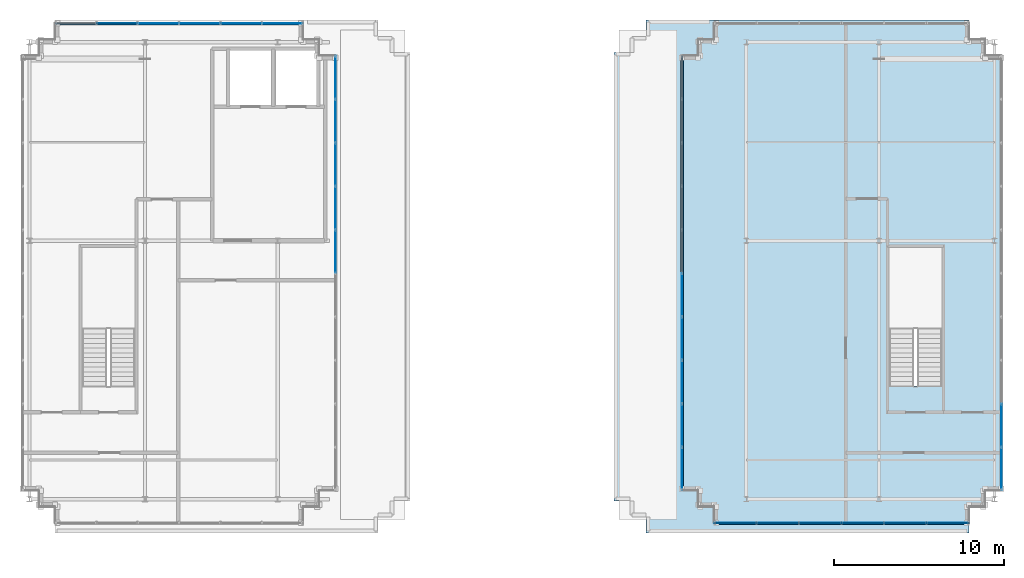
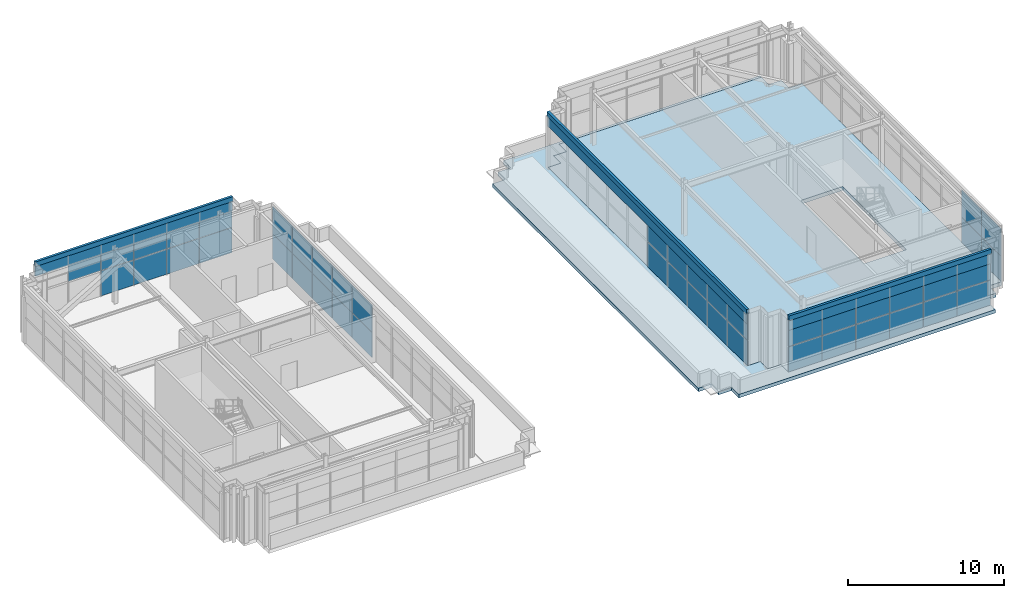
# One storey, part 21 of 28: 51 plates, 2 slabs, 5 elements without a shape of their own.
"""IFC4 building model written with IfcOpenShell, lengths in metres."""

from ifc_helpers import new_model, si_unit, direction, frame, origin, origin_2d, place, context, subcontext, project, spatial, polyline, rectangle, outline, extrude, source, transform, mapped, material, layer, layer_set, type_object, element, aggregate, save


model = new_model("IFC4")

# Units and contexts
model_context = context("Model", 3, precision=1e-05, world=origin(), true_north=direction((0.0, 1.0)))
body_context = subcontext(model_context, "Body", "Model", "MODEL_VIEW")
ifc_project = project(units=[si_unit("LENGTHUNIT", "METRE"), si_unit("AREAUNIT", "SQUARE_METRE"), si_unit("VOLUMEUNIT", "CUBIC_METRE"), si_unit("PLANEANGLEUNIT", "RADIAN"), si_unit("MASSUNIT", "GRAM", prefix="KILO")], contexts=[model_context])

# Site, building, storey
site_placement = place(None, origin())
site = spatial("IfcSite", under=ifc_project, at=site_placement, CompositionType="ELEMENT")
building_placement = place(site_placement, origin())
building = spatial("IfcBuilding", under=site, at=building_placement, Name="Trelvane Seafront Commons", CompositionType="ELEMENT")
storey_placement = place(building_placement, frame((0.0, 0.0, 312.300048828125)))
storey = spatial("IfcBuildingStorey", under=building, at=storey_placement, Name="L81", CompositionType="ELEMENT", Elevation=312.300048828125)

# Slabs
ifc_material_1 = material(Name="Concrete C40/50", Category="concrete")
ifc_layer_1 = layer(ifc_material_1, 0.27001953125, Name="STR-ROOF-270")
ifc_layer_set_1 = layer_set([ifc_layer_1], Name="Concrete C40/50")
slab_type_1 = type_object("IfcSlabType", Name="STR-ROOF-270", PredefinedType="ROOF", material=ifc_layer_set_1)
slab_1_placement = place(storey_placement, frame((0.0, 0.0, -0.27001953125)))
element("IfcSlab", 1, at=slab_1_placement, inside=storey, type_object=slab_type_1, Name="L81 Crown Setback Step Roof Slab", PredefinedType="ROOF", context=body_context, shape_type="SweptSolid", body=[
    extrude(outline(polyline([(45.10009765625, 17.14990234375), (45.10009765625, 16.199951171875), (64.10009765625, 16.199951171875), (64.10009765625, 16.800048828125), (49.10009765625, 16.800048828125), (49.10009765625, 17.75), (48.14990234375, 17.75), (48.14990234375, 18.699951171875), (47.199951171875, 18.699951171875), (47.199951171875, 44.300048828125), (48.14990234375, 44.300048828125), (48.14990234375, 45.25), (49.10009765625, 45.25), (49.10009765625, 46.199951171875), (64.10009765625, 46.199951171875), (64.10009765625, 46.39990234375), (45.10009765625, 46.39990234375), (45.10009765625, 45.449951171875), (44.14990234375, 45.449951171875), (44.14990234375, 44.5), (43.199951171875, 44.5), (43.199951171875, 18.10009765625), (44.14990234375, 18.10009765625), (44.14990234375, 17.14990234375), (45.10009765625, 17.14990234375)])), origin(), (0.0, 0.0, 1.0), 0.27001953125),
])
ifc_material_2 = material(Name="Concrete C50/60", Category="concrete")
ifc_layer_2 = layer(ifc_material_2, 0.2900390625, Name="STR-SLB-CRN290")
ifc_layer_set_2 = layer_set([ifc_layer_2], Name="Concrete C50/60")
slab_type_2 = type_object("IfcSlabType", Name="STR-SLB-CRN290", PredefinedType="FLOOR", material=ifc_layer_set_2)
slab_2_placement = place(storey_placement, frame((0.0, 0.0, -0.300048828125)))
element("IfcSlab", 2, at=slab_2_placement, inside=storey, type_object=slab_type_2, Name="L81 East Crown Peak Floor Slab", PredefinedType="FLOOR", context=body_context, shape_type="SweptSolid", body=[
    extrude(outline(polyline([(49.10009765625, 16.800048828125), (64.10009765625, 16.800048828125), (64.10009765625, 17.75), (65.050048828125, 17.75), (65.050048828125, 18.699951171875), (66.0, 18.699951171875), (66.0, 44.300048828125), (65.050048828125, 44.300048828125), (65.050048828125, 45.25), (64.10009765625, 45.25), (64.10009765625, 46.199951171875), (49.10009765625, 46.199951171875), (49.10009765625, 45.25), (48.14990234375, 45.25), (48.14990234375, 44.300048828125), (47.199951171875, 44.300048828125), (47.199951171875, 18.699951171875), (48.14990234375, 18.699951171875), (48.14990234375, 17.75), (49.10009765625, 17.75), (49.10009765625, 16.800048828125)]), holes=[polyline([(62.5, 33.0), (62.5, 24.85009765625), (59.39990234375, 24.85009765625), (59.39990234375, 33.0), (62.5, 33.0)])]), origin(), (0.0, 0.0, 1.0), 0.300048828125),
])

# Curtain wall, plates
ifc_material_3 = material(Name="Anodised pale-silver aluminium", Category="aluminium")
curtain_wall_type = type_object("IfcCurtainWallType", Name="ARCH-CW6-CROWN", PredefinedType="NOTDEFINED", material=ifc_material_3)
curtain_wall_1_placement = place(storey_placement, origin())
curtain_wall_1 = element("IfcCurtainWall", 3, at=curtain_wall_1_placement, inside=storey, type_object=curtain_wall_type, Name="CW-L81-0146", PredefinedType="NOTDEFINED")
ifc_material_4 = material(Name="Low-E coastal double glazing", Category="glass")
ifc_layer_3 = layer(ifc_material_4, 0.033935546875, Name="ARCH-CW-GLAZ-34")
ifc_layer_set_3 = layer_set([ifc_layer_3], Name="Low-E coastal double glazing")
plate_type_1 = type_object("IfcPlateType", Name="ARCH-CW-GLAZ-34", PredefinedType="CURTAIN_PANEL", material=ifc_layer_set_3)
shared_shape_1 = source(origin(), body_context, "Body", "SweptSolid", [
    extrude(rectangle(XDim=2.535888671875, YDim=0.031982421875, at=origin_2d()), origin(), (0.0, 0.0, 1.0), 1.955078125),
])
plate_1_placement = place(storey_placement, frame((26.800048828125, 43.02001953125, 0.0), z_axis=(0.0, 0.0, 1.0), x_axis=(0.0, -1.0, 0.0)))
plate_1 = element("IfcPlate", 4, at=plate_1_placement, type_object=plate_type_1, Name="CW-L81-0146-P00-1", PredefinedType="CURTAIN_PANEL", context=body_context, shape_type="MappedRepresentation", body=[
    mapped(shared_shape_1, transform((0.0, 0.0, 0.0), x_axis=(1.0, 0.0, 0.0), y_axis=(0.0, 1.0, 0.0), z_axis=(0.0, 0.0, 1.0), scale=1.0)),
])
plate_2_placement = place(storey_placement, frame((26.800048828125, 40.4599609375, 0.0), z_axis=(0.0, 0.0, 1.0), x_axis=(0.0, -1.0, 0.0)))
plate_2 = element("IfcPlate", 5, at=plate_2_placement, type_object=plate_type_1, Name="CW-L81-0146-P01-1", PredefinedType="CURTAIN_PANEL", context=body_context, shape_type="MappedRepresentation", body=[
    mapped(shared_shape_1, transform((0.0, 0.0, 0.0), x_axis=(1.0, 0.0, 0.0), y_axis=(0.0, 1.0, 0.0), z_axis=(0.0, 0.0, 1.0), scale=1.0)),
])
plate_3_placement = place(storey_placement, frame((26.800048828125, 37.89990234375, 0.0), z_axis=(0.0, 0.0, 1.0), x_axis=(0.0, -1.0, 0.0)))
plate_3 = element("IfcPlate", 6, at=plate_3_placement, type_object=plate_type_1, Name="CW-L81-0146-P02-1", PredefinedType="CURTAIN_PANEL", context=body_context, shape_type="MappedRepresentation", body=[
    mapped(shared_shape_1, transform((0.0, 0.0, 0.0), x_axis=(1.0, 0.0, 0.0), y_axis=(0.0, 1.0, 0.0), z_axis=(0.0, 0.0, 1.0), scale=1.0)),
])
plate_4_placement = place(storey_placement, frame((26.800048828125, 35.340087890625, 0.0), z_axis=(0.0, 0.0, 1.0), x_axis=(0.0, -1.0, 0.0)))
plate_4 = element("IfcPlate", 7, at=plate_4_placement, type_object=plate_type_1, Name="CW-L81-0146-P03-1", PredefinedType="CURTAIN_PANEL", context=body_context, shape_type="MappedRepresentation", body=[
    mapped(shared_shape_1, transform((0.0, 0.0, 0.0), x_axis=(1.0, 0.0, 0.0), y_axis=(0.0, 1.0, 0.0), z_axis=(0.0, 0.0, 1.0), scale=1.0)),
])
plate_5_placement = place(storey_placement, frame((26.800048828125, 32.780029296875, 0.0), z_axis=(0.0, 0.0, 1.0), x_axis=(0.0, -1.0, 0.0)))
plate_5 = element("IfcPlate", 8, at=plate_5_placement, type_object=plate_type_1, Name="CW-L81-0146-P04-1", PredefinedType="CURTAIN_PANEL", context=body_context, shape_type="MappedRepresentation", body=[
    mapped(shared_shape_1, transform((0.0, 0.0, 0.0), x_axis=(1.0, 0.0, 0.0), y_axis=(0.0, 1.0, 0.0), z_axis=(0.0, 0.0, 1.0), scale=1.0)),
])

curtain_wall_2_placement = place(storey_placement, origin())
curtain_wall_2 = element("IfcCurtainWall", 9, at=curtain_wall_2_placement, inside=storey, type_object=curtain_wall_type, Name="CW-L81-0148", PredefinedType="NOTDEFINED")
plate_6_placement = place(storey_placement, frame((47.199951171875, 19.97998046875, 0.0), z_axis=(0.0, 0.0, 1.0), x_axis=(0.0, 1.0, 0.0)))
plate_6 = element("IfcPlate", 10, at=plate_6_placement, type_object=plate_type_1, Name="CW-L81-0148-P00-1", PredefinedType="CURTAIN_PANEL", context=body_context, shape_type="MappedRepresentation", body=[
    mapped(shared_shape_1, transform((0.0, 0.0, 0.0), x_axis=(1.0, 0.0, 0.0), y_axis=(0.0, 1.0, 0.0), z_axis=(0.0, 0.0, 1.0), scale=1.0)),
])
plate_7_placement = place(storey_placement, frame((47.199951171875, 22.5400390625, 0.0), z_axis=(0.0, 0.0, 1.0), x_axis=(0.0, 1.0, 0.0)))
plate_7 = element("IfcPlate", 11, at=plate_7_placement, type_object=plate_type_1, Name="CW-L81-0148-P01-1", PredefinedType="CURTAIN_PANEL", context=body_context, shape_type="MappedRepresentation", body=[
    mapped(shared_shape_1, transform((0.0, 0.0, 0.0), x_axis=(1.0, 0.0, 0.0), y_axis=(0.0, 1.0, 0.0), z_axis=(0.0, 0.0, 1.0), scale=1.0)),
])
plate_8_placement = place(storey_placement, frame((47.199951171875, 25.10009765625, 0.0), z_axis=(0.0, 0.0, 1.0), x_axis=(0.0, 1.0, 0.0)))
plate_8 = element("IfcPlate", 12, at=plate_8_placement, type_object=plate_type_1, Name="CW-L81-0148-P02-1", PredefinedType="CURTAIN_PANEL", context=body_context, shape_type="MappedRepresentation", body=[
    mapped(shared_shape_1, transform((0.0, 0.0, 0.0), x_axis=(1.0, 0.0, 0.0), y_axis=(0.0, 1.0, 0.0), z_axis=(0.0, 0.0, 1.0), scale=1.0)),
])
plate_9_placement = place(storey_placement, frame((47.199951171875, 27.659912109375, 0.0), z_axis=(0.0, 0.0, 1.0), x_axis=(0.0, 1.0, 0.0)))
plate_9 = element("IfcPlate", 13, at=plate_9_placement, type_object=plate_type_1, Name="CW-L81-0148-P03-1", PredefinedType="CURTAIN_PANEL", context=body_context, shape_type="MappedRepresentation", body=[
    mapped(shared_shape_1, transform((0.0, 0.0, 0.0), x_axis=(1.0, 0.0, 0.0), y_axis=(0.0, 1.0, 0.0), z_axis=(0.0, 0.0, 1.0), scale=1.0)),
])
plate_10_placement = place(storey_placement, frame((47.199951171875, 30.219970703125, 0.0), z_axis=(0.0, 0.0, 1.0), x_axis=(0.0, 1.0, 0.0)))
plate_10 = element("IfcPlate", 14, at=plate_10_placement, type_object=plate_type_1, Name="CW-L81-0148-P04-1", PredefinedType="CURTAIN_PANEL", context=body_context, shape_type="MappedRepresentation", body=[
    mapped(shared_shape_1, transform((0.0, 0.0, 0.0), x_axis=(1.0, 0.0, 0.0), y_axis=(0.0, 1.0, 0.0), z_axis=(0.0, 0.0, 1.0), scale=1.0)),
])

curtain_wall_3_placement = place(storey_placement, origin())
curtain_wall_3 = element("IfcCurtainWall", 15, at=curtain_wall_3_placement, inside=storey, type_object=curtain_wall_type, Name="CW-L81-0150", PredefinedType="NOTDEFINED")
plate_11_placement = place(storey_placement, frame((66.0, 22.5400390625, 0.0), z_axis=(0.0, 0.0, 1.0), x_axis=(0.0, -1.0, 0.0)))
plate_11 = element("IfcPlate", 16, at=plate_11_placement, type_object=plate_type_1, Name="CW-L81-0150-P08-1", PredefinedType="CURTAIN_PANEL", context=body_context, shape_type="MappedRepresentation", body=[
    mapped(shared_shape_1, transform((0.0, 0.0, 0.0), x_axis=(1.0, 0.0, 0.0), y_axis=(0.0, 1.0, 0.0), z_axis=(0.0, 0.0, 1.0), scale=1.0)),
])
plate_12_placement = place(storey_placement, frame((66.0, 19.97998046875, 0.0), z_axis=(0.0, 0.0, 1.0), x_axis=(0.0, -1.0, 0.0)))
plate_12 = element("IfcPlate", 17, at=plate_12_placement, type_object=plate_type_1, Name="CW-L81-0150-P09-1", PredefinedType="CURTAIN_PANEL", context=body_context, shape_type="MappedRepresentation", body=[
    mapped(shared_shape_1, transform((0.0, 0.0, 0.0), x_axis=(1.0, 0.0, 0.0), y_axis=(0.0, 1.0, 0.0), z_axis=(0.0, 0.0, 1.0), scale=1.0)),
])

# Plate
shared_shape_2 = source(origin(), body_context, "Body", "SweptSolid", [
    extrude(rectangle(XDim=2.535888671875, YDim=0.031982421875, at=origin_2d()), origin(), (0.0, 0.0, 1.0), 2.118896484375),
])
plate_13_placement = place(storey_placement, frame((26.800048828125, 43.02001953125, 1.9912109375), z_axis=(0.0, 0.0, 1.0), x_axis=(0.0, -1.0, 0.0)))
plate_13 = element("IfcPlate", 18, at=plate_13_placement, type_object=plate_type_1, Name="CW-L81-0146-P00-2", PredefinedType="CURTAIN_PANEL", context=body_context, shape_type="MappedRepresentation", body=[
    mapped(shared_shape_2, transform((0.0, 0.0, 0.0), x_axis=(1.0, 0.0, 0.0), y_axis=(0.0, 1.0, 0.0), z_axis=(0.0, 0.0, 1.0), scale=1.0)),
])

plate_14_placement = place(storey_placement, frame((26.800048828125, 40.4599609375, 1.9912109375), z_axis=(0.0, 0.0, 1.0), x_axis=(0.0, -1.0, 0.0)))
plate_14 = element("IfcPlate", 19, at=plate_14_placement, type_object=plate_type_1, Name="CW-L81-0146-P01-2", PredefinedType="CURTAIN_PANEL", context=body_context, shape_type="MappedRepresentation", body=[
    mapped(shared_shape_2, transform((0.0, 0.0, 0.0), x_axis=(1.0, 0.0, 0.0), y_axis=(0.0, 1.0, 0.0), z_axis=(0.0, 0.0, 1.0), scale=1.0)),
])

plate_15_placement = place(storey_placement, frame((26.800048828125, 37.89990234375, 1.9912109375), z_axis=(0.0, 0.0, 1.0), x_axis=(0.0, -1.0, 0.0)))
plate_15 = element("IfcPlate", 20, at=plate_15_placement, type_object=plate_type_1, Name="CW-L81-0146-P02-2", PredefinedType="CURTAIN_PANEL", context=body_context, shape_type="MappedRepresentation", body=[
    mapped(shared_shape_2, transform((0.0, 0.0, 0.0), x_axis=(1.0, 0.0, 0.0), y_axis=(0.0, 1.0, 0.0), z_axis=(0.0, 0.0, 1.0), scale=1.0)),
])

plate_16_placement = place(storey_placement, frame((26.800048828125, 35.340087890625, 1.9912109375), z_axis=(0.0, 0.0, 1.0), x_axis=(0.0, -1.0, 0.0)))
plate_16 = element("IfcPlate", 21, at=plate_16_placement, type_object=plate_type_1, Name="CW-L81-0146-P03-2", PredefinedType="CURTAIN_PANEL", context=body_context, shape_type="MappedRepresentation", body=[
    mapped(shared_shape_2, transform((0.0, 0.0, 0.0), x_axis=(1.0, 0.0, 0.0), y_axis=(0.0, 1.0, 0.0), z_axis=(0.0, 0.0, 1.0), scale=1.0)),
])

plate_17_placement = place(storey_placement, frame((26.800048828125, 32.780029296875, 1.9912109375), z_axis=(0.0, 0.0, 1.0), x_axis=(0.0, -1.0, 0.0)))
plate_17 = element("IfcPlate", 22, at=plate_17_placement, type_object=plate_type_1, Name="CW-L81-0146-P04-2", PredefinedType="CURTAIN_PANEL", context=body_context, shape_type="MappedRepresentation", body=[
    mapped(shared_shape_2, transform((0.0, 0.0, 0.0), x_axis=(1.0, 0.0, 0.0), y_axis=(0.0, 1.0, 0.0), z_axis=(0.0, 0.0, 1.0), scale=1.0)),
])

aggregate(curtain_wall_1, [plate_1, plate_13, plate_2, plate_14, plate_3, plate_15, plate_4, plate_16, plate_5, plate_17])

plate_18_placement = place(storey_placement, frame((47.199951171875, 19.97998046875, 1.9912109375), z_axis=(0.0, 0.0, 1.0), x_axis=(0.0, 1.0, 0.0)))
plate_18 = element("IfcPlate", 23, at=plate_18_placement, type_object=plate_type_1, Name="CW-L81-0148-P00-2", PredefinedType="CURTAIN_PANEL", context=body_context, shape_type="MappedRepresentation", body=[
    mapped(shared_shape_2, transform((0.0, 0.0, 0.0), x_axis=(1.0, 0.0, 0.0), y_axis=(0.0, 1.0, 0.0), z_axis=(0.0, 0.0, 1.0), scale=1.0)),
])

plate_19_placement = place(storey_placement, frame((47.199951171875, 22.5400390625, 1.9912109375), z_axis=(0.0, 0.0, 1.0), x_axis=(0.0, 1.0, 0.0)))
plate_19 = element("IfcPlate", 24, at=plate_19_placement, type_object=plate_type_1, Name="CW-L81-0148-P01-2", PredefinedType="CURTAIN_PANEL", context=body_context, shape_type="MappedRepresentation", body=[
    mapped(shared_shape_2, transform((0.0, 0.0, 0.0), x_axis=(1.0, 0.0, 0.0), y_axis=(0.0, 1.0, 0.0), z_axis=(0.0, 0.0, 1.0), scale=1.0)),
])

plate_20_placement = place(storey_placement, frame((47.199951171875, 25.10009765625, 1.9912109375), z_axis=(0.0, 0.0, 1.0), x_axis=(0.0, 1.0, 0.0)))
plate_20 = element("IfcPlate", 25, at=plate_20_placement, type_object=plate_type_1, Name="CW-L81-0148-P02-2", PredefinedType="CURTAIN_PANEL", context=body_context, shape_type="MappedRepresentation", body=[
    mapped(shared_shape_2, transform((0.0, 0.0, 0.0), x_axis=(1.0, 0.0, 0.0), y_axis=(0.0, 1.0, 0.0), z_axis=(0.0, 0.0, 1.0), scale=1.0)),
])

plate_21_placement = place(storey_placement, frame((47.199951171875, 27.659912109375, 1.9912109375), z_axis=(0.0, 0.0, 1.0), x_axis=(0.0, 1.0, 0.0)))
plate_21 = element("IfcPlate", 26, at=plate_21_placement, type_object=plate_type_1, Name="CW-L81-0148-P03-2", PredefinedType="CURTAIN_PANEL", context=body_context, shape_type="MappedRepresentation", body=[
    mapped(shared_shape_2, transform((0.0, 0.0, 0.0), x_axis=(1.0, 0.0, 0.0), y_axis=(0.0, 1.0, 0.0), z_axis=(0.0, 0.0, 1.0), scale=1.0)),
])

plate_22_placement = place(storey_placement, frame((47.199951171875, 30.219970703125, 1.9912109375), z_axis=(0.0, 0.0, 1.0), x_axis=(0.0, 1.0, 0.0)))
plate_22 = element("IfcPlate", 27, at=plate_22_placement, type_object=plate_type_1, Name="CW-L81-0148-P04-2", PredefinedType="CURTAIN_PANEL", context=body_context, shape_type="MappedRepresentation", body=[
    mapped(shared_shape_2, transform((0.0, 0.0, 0.0), x_axis=(1.0, 0.0, 0.0), y_axis=(0.0, 1.0, 0.0), z_axis=(0.0, 0.0, 1.0), scale=1.0)),
])

aggregate(curtain_wall_2, [plate_6, plate_18, plate_7, plate_19, plate_8, plate_20, plate_9, plate_21, plate_10, plate_22])

plate_23_placement = place(storey_placement, frame((66.0, 22.5400390625, 1.9912109375), z_axis=(0.0, 0.0, 1.0), x_axis=(0.0, -1.0, 0.0)))
plate_23 = element("IfcPlate", 28, at=plate_23_placement, type_object=plate_type_1, Name="CW-L81-0150-P08-2", PredefinedType="CURTAIN_PANEL", context=body_context, shape_type="MappedRepresentation", body=[
    mapped(shared_shape_2, transform((0.0, 0.0, 0.0), x_axis=(1.0, 0.0, 0.0), y_axis=(0.0, 1.0, 0.0), z_axis=(0.0, 0.0, 1.0), scale=1.0)),
])

plate_24_placement = place(storey_placement, frame((66.0, 19.97998046875, 1.9912109375), z_axis=(0.0, 0.0, 1.0), x_axis=(0.0, -1.0, 0.0)))
plate_24 = element("IfcPlate", 29, at=plate_24_placement, type_object=plate_type_1, Name="CW-L81-0150-P09-2", PredefinedType="CURTAIN_PANEL", context=body_context, shape_type="MappedRepresentation", body=[
    mapped(shared_shape_2, transform((0.0, 0.0, 0.0), x_axis=(1.0, 0.0, 0.0), y_axis=(0.0, 1.0, 0.0), z_axis=(0.0, 0.0, 1.0), scale=1.0)),
])

aggregate(curtain_wall_3, [plate_11, plate_23, plate_12, plate_24])

# Plates
ifc_layer_4 = layer(ifc_material_3, 0.080078125, Name="ARCH-PLATE-LOUVRE")
ifc_layer_set_4 = layer_set([ifc_layer_4], Name="Anodised pale-silver aluminium")
plate_type_2 = type_object("IfcPlateType", Name="ARCH-PLATE-LOUVRE", PredefinedType="USERDEFINED", material=ifc_layer_set_4)
shared_shape_3 = source(origin(), body_context, "Body", "SweptSolid", [
    extrude(rectangle(XDim=25.60009765625, YDim=0.080078125, at=origin_2d()), origin(), (0.0, 0.0, 1.0), 0.889892578125),
])
plate_25_placement = place(storey_placement, frame((47.199951171875, 31.5, 3.259765625), z_axis=(0.0, 0.0, 1.0), x_axis=(0.0, 1.0, 0.0)))
element("IfcPlate", 30, at=plate_25_placement, inside=storey, type_object=plate_type_2, Name="LOU-L81-037", ObjectType="LOUVRE", PredefinedType="USERDEFINED", context=body_context, shape_type="MappedRepresentation", body=[
    mapped(shared_shape_3, transform((0.0, 0.0, 0.0), x_axis=(1.0, 0.0, 0.0), y_axis=(0.0, 1.0, 0.0), z_axis=(0.0, 0.0, 1.0), scale=1.0)),
])
ifc_layer_5 = layer(ifc_material_3, 0.179931640625, Name="ARCH-PLATE-AERO")
ifc_layer_set_5 = layer_set([ifc_layer_5], Name="Anodised pale-silver aluminium")
plate_type_3 = type_object("IfcPlateType", Name="ARCH-PLATE-AERO", PredefinedType="SHEET", material=ifc_layer_set_5)
shared_shape_4 = source(origin(), body_context, "Body", "SweptSolid", [
    extrude(rectangle(XDim=25.60009765625, YDim=0.179931640625, at=origin_2d()), origin(), (0.0, 0.0, 1.0), 0.3701171875),
])
plate_26_placement = place(storey_placement, frame((47.199951171875, 31.5, 4.0498046875), z_axis=(0.0, 0.0, 1.0), x_axis=(0.0, 1.0, 0.0)))
element("IfcPlate", 31, at=plate_26_placement, inside=storey, type_object=plate_type_3, Name="AER-L81-00294", PredefinedType="SHEET", context=body_context, shape_type="MappedRepresentation", body=[
    mapped(shared_shape_4, transform((0.0, 0.0, 0.0), x_axis=(1.0, 0.0, 0.0), y_axis=(0.0, 1.0, 0.0), z_axis=(0.0, 0.0, 1.0), scale=1.0)),
])

# Curtain wall, plates
curtain_wall_4_placement = place(storey_placement, origin())
curtain_wall_4 = element("IfcCurtainWall", 32, at=curtain_wall_4_placement, inside=storey, type_object=curtain_wall_type, Name="CW-L81-0145", PredefinedType="NOTDEFINED")
shared_shape_5 = source(origin(), body_context, "Body", "SweptSolid", [
    extrude(rectangle(XDim=2.4091796875, YDim=0.031982421875, at=origin_2d()), origin(), (0.0, 0.0, 1.0), 1.955078125),
])
plate_27_placement = place(storey_placement, frame((16.38330078125, 46.199951171875, 0.0), z_axis=(0.0, 0.0, 1.0), x_axis=(1.0, 0.0, 0.0)))
plate_27 = element("IfcPlate", 33, at=plate_27_placement, type_object=plate_type_1, Name="CW-L81-0145-P02-1", PredefinedType="CURTAIN_PANEL", context=body_context, shape_type="MappedRepresentation", body=[
    mapped(shared_shape_5, transform((0.0, 0.0, 0.0), x_axis=(1.0, 0.0, 0.0), y_axis=(0.0, 1.0, 0.0), z_axis=(0.0, 0.0, 1.0), scale=1.0)),
])
plate_28_placement = place(storey_placement, frame((18.816650390625, 46.199951171875, 0.0), z_axis=(0.0, 0.0, 1.0), x_axis=(1.0, 0.0, 0.0)))
plate_28 = element("IfcPlate", 34, at=plate_28_placement, type_object=plate_type_1, Name="CW-L81-0145-P03-1", PredefinedType="CURTAIN_PANEL", context=body_context, shape_type="MappedRepresentation", body=[
    mapped(shared_shape_5, transform((0.0, 0.0, 0.0), x_axis=(1.0, 0.0, 0.0), y_axis=(0.0, 1.0, 0.0), z_axis=(0.0, 0.0, 1.0), scale=1.0)),
])
plate_29_placement = place(storey_placement, frame((23.683349609375, 46.199951171875, 0.0), z_axis=(0.0, 0.0, 1.0), x_axis=(1.0, 0.0, 0.0)))
plate_29 = element("IfcPlate", 35, at=plate_29_placement, type_object=plate_type_1, Name="CW-L81-0145-P05-1", PredefinedType="CURTAIN_PANEL", context=body_context, shape_type="MappedRepresentation", body=[
    mapped(shared_shape_5, transform((0.0, 0.0, 0.0), x_axis=(1.0, 0.0, 0.0), y_axis=(0.0, 1.0, 0.0), z_axis=(0.0, 0.0, 1.0), scale=1.0)),
])
shared_shape_6 = source(origin(), body_context, "Body", "SweptSolid", [
    extrude(rectangle(XDim=2.4091796875, YDim=0.031982421875, at=origin_2d()), origin(), (0.0, 0.0, 1.0), 2.118896484375),
])
plate_30_placement = place(storey_placement, frame((16.38330078125, 46.199951171875, 1.9912109375), z_axis=(0.0, 0.0, 1.0), x_axis=(1.0, 0.0, 0.0)))
plate_30 = element("IfcPlate", 36, at=plate_30_placement, type_object=plate_type_1, Name="CW-L81-0145-P02-2", PredefinedType="CURTAIN_PANEL", context=body_context, shape_type="MappedRepresentation", body=[
    mapped(shared_shape_6, transform((0.0, 0.0, 0.0), x_axis=(1.0, 0.0, 0.0), y_axis=(0.0, 1.0, 0.0), z_axis=(0.0, 0.0, 1.0), scale=1.0)),
])
plate_31_placement = place(storey_placement, frame((18.816650390625, 46.199951171875, 1.9912109375), z_axis=(0.0, 0.0, 1.0), x_axis=(1.0, 0.0, 0.0)))
plate_31 = element("IfcPlate", 37, at=plate_31_placement, type_object=plate_type_1, Name="CW-L81-0145-P03-2", PredefinedType="CURTAIN_PANEL", context=body_context, shape_type="MappedRepresentation", body=[
    mapped(shared_shape_6, transform((0.0, 0.0, 0.0), x_axis=(1.0, 0.0, 0.0), y_axis=(0.0, 1.0, 0.0), z_axis=(0.0, 0.0, 1.0), scale=1.0)),
])
plate_32_placement = place(storey_placement, frame((23.683349609375, 46.199951171875, 1.9912109375), z_axis=(0.0, 0.0, 1.0), x_axis=(1.0, 0.0, 0.0)))
plate_32 = element("IfcPlate", 38, at=plate_32_placement, type_object=plate_type_1, Name="CW-L81-0145-P05-2", PredefinedType="CURTAIN_PANEL", context=body_context, shape_type="MappedRepresentation", body=[
    mapped(shared_shape_6, transform((0.0, 0.0, 0.0), x_axis=(1.0, 0.0, 0.0), y_axis=(0.0, 1.0, 0.0), z_axis=(0.0, 0.0, 1.0), scale=1.0)),
])
shared_shape_7 = source(origin(), body_context, "Body", "SweptSolid", [
    extrude(rectangle(XDim=2.409423828125, YDim=0.031982421875, at=origin_2d()), origin(), (0.0, 0.0, 1.0), 1.955078125),
])
plate_33_placement = place(storey_placement, frame((21.25, 46.199951171875, 0.0), z_axis=(0.0, 0.0, 1.0), x_axis=(1.0, 0.0, 0.0)))
plate_33 = element("IfcPlate", 39, at=plate_33_placement, type_object=plate_type_1, Name="CW-L81-0145-P04-1", PredefinedType="CURTAIN_PANEL", context=body_context, shape_type="MappedRepresentation", body=[
    mapped(shared_shape_7, transform((0.0, 0.0, 0.0), x_axis=(1.0, 0.0, 0.0), y_axis=(0.0, 1.0, 0.0), z_axis=(0.0, 0.0, 1.0), scale=1.0)),
])
shared_shape_8 = source(origin(), body_context, "Body", "SweptSolid", [
    extrude(rectangle(XDim=2.409423828125, YDim=0.031982421875, at=origin_2d()), origin(), (0.0, 0.0, 1.0), 2.118896484375),
])
plate_34_placement = place(storey_placement, frame((13.949951171875, 46.199951171875, 1.9912109375), z_axis=(0.0, 0.0, 1.0), x_axis=(1.0, 0.0, 0.0)))
plate_34 = element("IfcPlate", 40, at=plate_34_placement, type_object=plate_type_1, Name="CW-L81-0145-P01-2", PredefinedType="CURTAIN_PANEL", context=body_context, shape_type="MappedRepresentation", body=[
    mapped(shared_shape_8, transform((0.0, 0.0, 0.0), x_axis=(1.0, 0.0, 0.0), y_axis=(0.0, 1.0, 0.0), z_axis=(0.0, 0.0, 1.0), scale=1.0)),
])
plate_35_placement = place(storey_placement, frame((21.25, 46.199951171875, 1.9912109375), z_axis=(0.0, 0.0, 1.0), x_axis=(1.0, 0.0, 0.0)))
plate_35 = element("IfcPlate", 41, at=plate_35_placement, type_object=plate_type_1, Name="CW-L81-0145-P04-2", PredefinedType="CURTAIN_PANEL", context=body_context, shape_type="MappedRepresentation", body=[
    mapped(shared_shape_8, transform((0.0, 0.0, 0.0), x_axis=(1.0, 0.0, 0.0), y_axis=(0.0, 1.0, 0.0), z_axis=(0.0, 0.0, 1.0), scale=1.0)),
])
aggregate(curtain_wall_4, [plate_34, plate_27, plate_30, plate_28, plate_31, plate_33, plate_35, plate_29, plate_32])

# Plates
shared_shape_9 = source(origin(), body_context, "Body", "SweptSolid", [
    extrude(rectangle(XDim=14.60009765625, YDim=0.080078125, at=origin_2d()), origin(), (0.0, 0.0, 1.0), 0.889892578125),
])
plate_36_placement = place(storey_placement, frame((17.60009765625, 46.199951171875, 3.259765625), z_axis=(0.0, 0.0, 1.0), x_axis=(1.0, 0.0, 0.0)))
element("IfcPlate", 42, at=plate_36_placement, inside=storey, type_object=plate_type_2, Name="LOU-L81-034", ObjectType="LOUVRE", PredefinedType="USERDEFINED", context=body_context, shape_type="MappedRepresentation", body=[
    mapped(shared_shape_9, transform((0.0, 0.0, 0.0), x_axis=(1.0, 0.0, 0.0), y_axis=(0.0, 1.0, 0.0), z_axis=(0.0, 0.0, 1.0), scale=1.0)),
])
shared_shape_10 = source(origin(), body_context, "Body", "SweptSolid", [
    extrude(rectangle(XDim=14.60009765625, YDim=0.179931640625, at=origin_2d()), origin(), (0.0, 0.0, 1.0), 0.3701171875),
])
plate_37_placement = place(storey_placement, frame((17.60009765625, 46.199951171875, 4.0498046875), z_axis=(0.0, 0.0, 1.0), x_axis=(1.0, 0.0, 0.0)))
element("IfcPlate", 43, at=plate_37_placement, inside=storey, type_object=plate_type_3, Name="AER-L81-00291", PredefinedType="SHEET", context=body_context, shape_type="MappedRepresentation", body=[
    mapped(shared_shape_10, transform((0.0, 0.0, 0.0), x_axis=(1.0, 0.0, 0.0), y_axis=(0.0, 1.0, 0.0), z_axis=(0.0, 0.0, 1.0), scale=1.0)),
])

# Curtain wall, plates
curtain_wall_5_placement = place(storey_placement, origin())
curtain_wall_5 = element("IfcCurtainWall", 44, at=curtain_wall_5_placement, inside=storey, type_object=curtain_wall_type, Name="CW-L81-0151", PredefinedType="NOTDEFINED")
shared_shape_11 = source(origin(), body_context, "Body", "SweptSolid", [
    extrude(rectangle(XDim=2.47607421875, YDim=0.031982421875, at=origin_2d()), origin(), (0.0, 0.0, 1.0), 1.955078125),
])
plate_38_placement = place(storey_placement, frame((62.85009765625, 16.800048828125, 0.0), z_axis=(0.0, 0.0, 1.0), x_axis=(-1.0, 0.0, 0.0)))
plate_38 = element("IfcPlate", 45, at=plate_38_placement, type_object=plate_type_1, Name="CW-L81-0151-P00-1", PredefinedType="CURTAIN_PANEL", context=body_context, shape_type="MappedRepresentation", body=[
    mapped(shared_shape_11, transform((0.0, 0.0, 0.0), x_axis=(1.0, 0.0, 0.0), y_axis=(0.0, 1.0, 0.0), z_axis=(0.0, 0.0, 1.0), scale=1.0)),
])
plate_39_placement = place(storey_placement, frame((60.35009765625, 16.800048828125, 0.0), z_axis=(0.0, 0.0, 1.0), x_axis=(-1.0, 0.0, 0.0)))
plate_39 = element("IfcPlate", 46, at=plate_39_placement, type_object=plate_type_1, Name="CW-L81-0151-P01-1", PredefinedType="CURTAIN_PANEL", context=body_context, shape_type="MappedRepresentation", body=[
    mapped(shared_shape_11, transform((0.0, 0.0, 0.0), x_axis=(1.0, 0.0, 0.0), y_axis=(0.0, 1.0, 0.0), z_axis=(0.0, 0.0, 1.0), scale=1.0)),
])
plate_40_placement = place(storey_placement, frame((57.85009765625, 16.800048828125, 0.0), z_axis=(0.0, 0.0, 1.0), x_axis=(-1.0, 0.0, 0.0)))
plate_40 = element("IfcPlate", 47, at=plate_40_placement, type_object=plate_type_1, Name="CW-L81-0151-P02-1", PredefinedType="CURTAIN_PANEL", context=body_context, shape_type="MappedRepresentation", body=[
    mapped(shared_shape_11, transform((0.0, 0.0, 0.0), x_axis=(1.0, 0.0, 0.0), y_axis=(0.0, 1.0, 0.0), z_axis=(0.0, 0.0, 1.0), scale=1.0)),
])
plate_41_placement = place(storey_placement, frame((55.35009765625, 16.800048828125, 0.0), z_axis=(0.0, 0.0, 1.0), x_axis=(-1.0, 0.0, 0.0)))
plate_41 = element("IfcPlate", 48, at=plate_41_placement, type_object=plate_type_1, Name="CW-L81-0151-P03-1", PredefinedType="CURTAIN_PANEL", context=body_context, shape_type="MappedRepresentation", body=[
    mapped(shared_shape_11, transform((0.0, 0.0, 0.0), x_axis=(1.0, 0.0, 0.0), y_axis=(0.0, 1.0, 0.0), z_axis=(0.0, 0.0, 1.0), scale=1.0)),
])
plate_42_placement = place(storey_placement, frame((52.85009765625, 16.800048828125, 0.0), z_axis=(0.0, 0.0, 1.0), x_axis=(-1.0, 0.0, 0.0)))
plate_42 = element("IfcPlate", 49, at=plate_42_placement, type_object=plate_type_1, Name="CW-L81-0151-P04-1", PredefinedType="CURTAIN_PANEL", context=body_context, shape_type="MappedRepresentation", body=[
    mapped(shared_shape_11, transform((0.0, 0.0, 0.0), x_axis=(1.0, 0.0, 0.0), y_axis=(0.0, 1.0, 0.0), z_axis=(0.0, 0.0, 1.0), scale=1.0)),
])
plate_43_placement = place(storey_placement, frame((50.35009765625, 16.800048828125, 0.0), z_axis=(0.0, 0.0, 1.0), x_axis=(-1.0, 0.0, 0.0)))
plate_43 = element("IfcPlate", 50, at=plate_43_placement, type_object=plate_type_1, Name="CW-L81-0151-P05-1", PredefinedType="CURTAIN_PANEL", context=body_context, shape_type="MappedRepresentation", body=[
    mapped(shared_shape_11, transform((0.0, 0.0, 0.0), x_axis=(1.0, 0.0, 0.0), y_axis=(0.0, 1.0, 0.0), z_axis=(0.0, 0.0, 1.0), scale=1.0)),
])
shared_shape_12 = source(origin(), body_context, "Body", "SweptSolid", [
    extrude(rectangle(XDim=2.47607421875, YDim=0.031982421875, at=origin_2d()), origin(), (0.0, 0.0, 1.0), 2.118896484375),
])
plate_44_placement = place(storey_placement, frame((62.85009765625, 16.800048828125, 1.9912109375), z_axis=(0.0, 0.0, 1.0), x_axis=(-1.0, 0.0, 0.0)))
plate_44 = element("IfcPlate", 51, at=plate_44_placement, type_object=plate_type_1, Name="CW-L81-0151-P00-2", PredefinedType="CURTAIN_PANEL", context=body_context, shape_type="MappedRepresentation", body=[
    mapped(shared_shape_12, transform((0.0, 0.0, 0.0), x_axis=(1.0, 0.0, 0.0), y_axis=(0.0, 1.0, 0.0), z_axis=(0.0, 0.0, 1.0), scale=1.0)),
])
plate_45_placement = place(storey_placement, frame((60.35009765625, 16.800048828125, 1.9912109375), z_axis=(0.0, 0.0, 1.0), x_axis=(-1.0, 0.0, 0.0)))
plate_45 = element("IfcPlate", 52, at=plate_45_placement, type_object=plate_type_1, Name="CW-L81-0151-P01-2", PredefinedType="CURTAIN_PANEL", context=body_context, shape_type="MappedRepresentation", body=[
    mapped(shared_shape_12, transform((0.0, 0.0, 0.0), x_axis=(1.0, 0.0, 0.0), y_axis=(0.0, 1.0, 0.0), z_axis=(0.0, 0.0, 1.0), scale=1.0)),
])
plate_46_placement = place(storey_placement, frame((57.85009765625, 16.800048828125, 1.9912109375), z_axis=(0.0, 0.0, 1.0), x_axis=(-1.0, 0.0, 0.0)))
plate_46 = element("IfcPlate", 53, at=plate_46_placement, type_object=plate_type_1, Name="CW-L81-0151-P02-2", PredefinedType="CURTAIN_PANEL", context=body_context, shape_type="MappedRepresentation", body=[
    mapped(shared_shape_12, transform((0.0, 0.0, 0.0), x_axis=(1.0, 0.0, 0.0), y_axis=(0.0, 1.0, 0.0), z_axis=(0.0, 0.0, 1.0), scale=1.0)),
])
plate_47_placement = place(storey_placement, frame((55.35009765625, 16.800048828125, 1.9912109375), z_axis=(0.0, 0.0, 1.0), x_axis=(-1.0, 0.0, 0.0)))
plate_47 = element("IfcPlate", 54, at=plate_47_placement, type_object=plate_type_1, Name="CW-L81-0151-P03-2", PredefinedType="CURTAIN_PANEL", context=body_context, shape_type="MappedRepresentation", body=[
    mapped(shared_shape_12, transform((0.0, 0.0, 0.0), x_axis=(1.0, 0.0, 0.0), y_axis=(0.0, 1.0, 0.0), z_axis=(0.0, 0.0, 1.0), scale=1.0)),
])
plate_48_placement = place(storey_placement, frame((52.85009765625, 16.800048828125, 1.9912109375), z_axis=(0.0, 0.0, 1.0), x_axis=(-1.0, 0.0, 0.0)))
plate_48 = element("IfcPlate", 55, at=plate_48_placement, type_object=plate_type_1, Name="CW-L81-0151-P04-2", PredefinedType="CURTAIN_PANEL", context=body_context, shape_type="MappedRepresentation", body=[
    mapped(shared_shape_12, transform((0.0, 0.0, 0.0), x_axis=(1.0, 0.0, 0.0), y_axis=(0.0, 1.0, 0.0), z_axis=(0.0, 0.0, 1.0), scale=1.0)),
])
plate_49_placement = place(storey_placement, frame((50.35009765625, 16.800048828125, 1.9912109375), z_axis=(0.0, 0.0, 1.0), x_axis=(-1.0, 0.0, 0.0)))
plate_49 = element("IfcPlate", 56, at=plate_49_placement, type_object=plate_type_1, Name="CW-L81-0151-P05-2", PredefinedType="CURTAIN_PANEL", context=body_context, shape_type="MappedRepresentation", body=[
    mapped(shared_shape_12, transform((0.0, 0.0, 0.0), x_axis=(1.0, 0.0, 0.0), y_axis=(0.0, 1.0, 0.0), z_axis=(0.0, 0.0, 1.0), scale=1.0)),
])
aggregate(curtain_wall_5, [plate_38, plate_44, plate_39, plate_45, plate_40, plate_46, plate_41, plate_47, plate_42, plate_48, plate_43, plate_49])

# Plates
shared_shape_13 = source(origin(), body_context, "Body", "SweptSolid", [
    extrude(rectangle(XDim=15.0, YDim=0.080078125, at=origin_2d()), origin(), (0.0, 0.0, 1.0), 0.889892578125),
])
plate_50_placement = place(storey_placement, frame((56.60009765625, 16.800048828125, 3.259765625), z_axis=(0.0, 0.0, 1.0), x_axis=(-1.0, 0.0, 0.0)))
element("IfcPlate", 57, at=plate_50_placement, inside=storey, type_object=plate_type_2, Name="LOU-L81-040", ObjectType="LOUVRE", PredefinedType="USERDEFINED", context=body_context, shape_type="MappedRepresentation", body=[
    mapped(shared_shape_13, transform((0.0, 0.0, 0.0), x_axis=(1.0, 0.0, 0.0), y_axis=(0.0, 1.0, 0.0), z_axis=(0.0, 0.0, 1.0), scale=1.0)),
])
shared_shape_14 = source(origin(), body_context, "Body", "SweptSolid", [
    extrude(rectangle(XDim=15.0, YDim=0.179931640625, at=origin_2d()), origin(), (0.0, 0.0, 1.0), 0.3701171875),
])
plate_51_placement = place(storey_placement, frame((56.60009765625, 16.800048828125, 4.0498046875), z_axis=(0.0, 0.0, 1.0), x_axis=(-1.0, 0.0, 0.0)))
element("IfcPlate", 58, at=plate_51_placement, inside=storey, type_object=plate_type_3, Name="AER-L81-00297", PredefinedType="SHEET", context=body_context, shape_type="MappedRepresentation", body=[
    mapped(shared_shape_14, transform((0.0, 0.0, 0.0), x_axis=(1.0, 0.0, 0.0), y_axis=(0.0, 1.0, 0.0), z_axis=(0.0, 0.0, 1.0), scale=1.0)),
])

save(model, "model.ifc")
